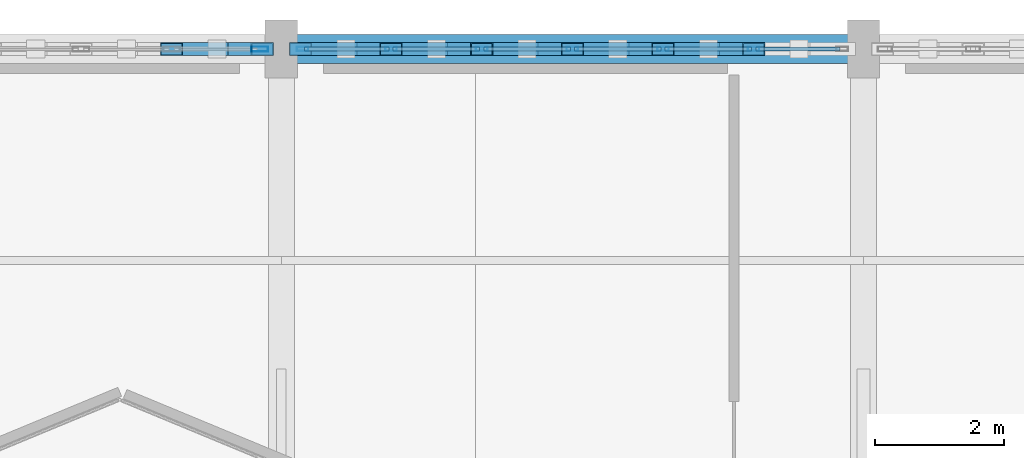
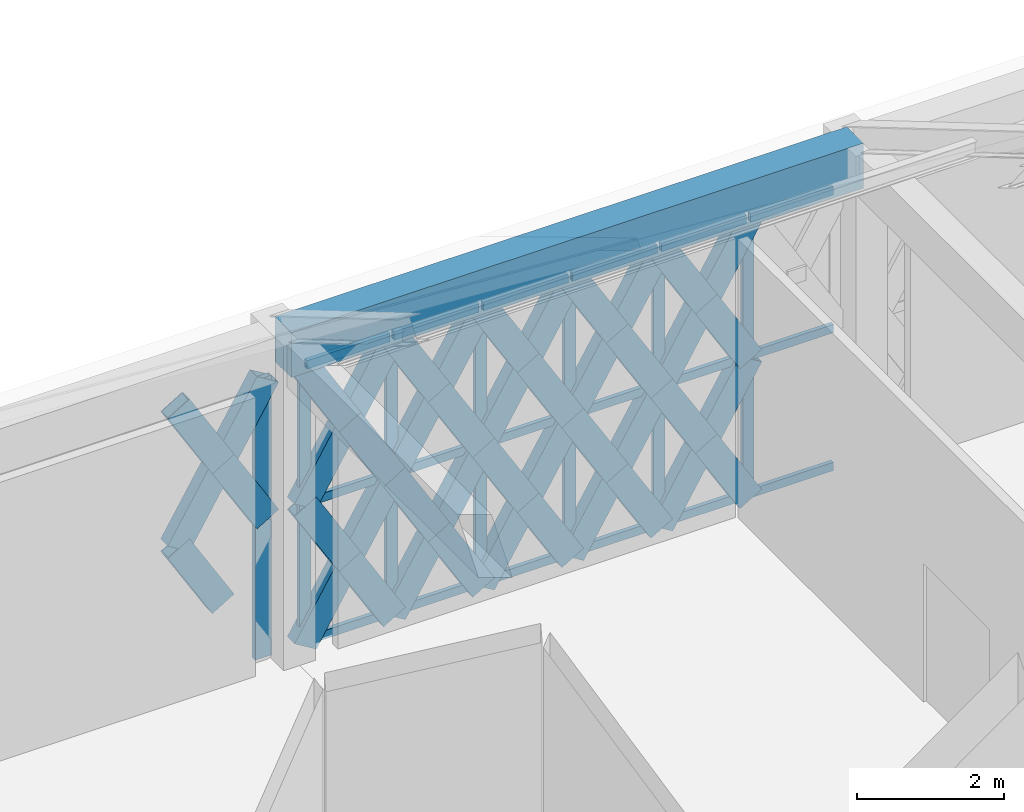
# One storey, part 51 of 72: 59 members, 1 beam, 2 elements without a shape of their own.
"""IFC4 building model written with IfcOpenShell, lengths in metres."""

from ifc_helpers import new_model, si_unit, direction, frame, origin, origin_2d, place, context, subcontext, project, spatial, rectangle, hollow_rectangle, extrude, material, material_profile, profile_set, type_object, element, aggregate, save


model = new_model("IFC4")

# Units and contexts
model_context = context("Model", 3, precision=1e-05, world=origin(), true_north=direction((0.0, 1.0)))
body_context = subcontext(model_context, "Body", "Model", "MODEL_VIEW")
ifc_project = project(units=[si_unit("LENGTHUNIT", "METRE"), si_unit("AREAUNIT", "SQUARE_METRE"), si_unit("VOLUMEUNIT", "CUBIC_METRE"), si_unit("PLANEANGLEUNIT", "RADIAN"), si_unit("MASSUNIT", "GRAM", prefix="KILO")], contexts=[model_context])

# Site, building, storey
site_placement = place(None, origin())
site = spatial("IfcSite", under=ifc_project, at=site_placement, CompositionType="ELEMENT")
building_placement = place(site_placement, origin())
building = spatial("IfcBuilding", under=site, at=building_placement, Name="Haizhuo Lancet Aquarium", CompositionType="ELEMENT")
storey_placement = place(building_placement, frame((0.0, 0.0, 21.60009765625)))
storey = spatial("IfcBuildingStorey", under=building, at=storey_placement, Name="L04", CompositionType="ELEMENT", Elevation=21.60009765625)

# Beam
ifc_material_1 = material(Name="Concrete C40/50", Category="concrete")
ifc_material_profile_1 = material_profile(ifc_material_1, rectangle(XDim=0.449951171875, YDim=0.75, at=origin_2d()), Name="RC-BM 450x750")
ifc_profile_set_1 = profile_set([ifc_material_profile_1], Name="Concrete C40/50")
beam_type = type_object("IfcBeamType", Name="BM-RC-450x750", PredefinedType="BEAM", material=ifc_profile_set_1)
beam_placement = place(storey_placement, frame((-9.0, 55.800048828125, 5.02490234375), z_axis=(1.0, 0.0, 0.0), x_axis=(0.0, 1.0, 0.0)))
element("IfcBeam", 1, at=beam_placement, inside=storey, type_object=beam_type, Name="L04 V5 primary girder BM-L04-V5-011", PredefinedType="BEAM", context=body_context, shape_type="SweptSolid", body=[
    extrude(rectangle(XDim=0.449951171875, YDim=0.75, at=origin_2d()), origin(), (0.0, 0.0, 1.0), 9.0),
])

# Curtain wall, members
ifc_material_2 = material(Name="Aluminium 6063-T6", Category="aluminium")
curtain_wall_type = type_object("IfcCurtainWallType", Name="CWD-8410x4650", PredefinedType="NOTDEFINED", material=ifc_material_2)
curtain_wall_1_placement = place(storey_placement, origin())
curtain_wall_1 = element("IfcCurtainWall", 2, at=curtain_wall_1_placement, inside=storey, type_object=curtain_wall_type, Name="L04 curtain wall CW-V5-L04-178", PredefinedType="NOTDEFINED")
ifc_material_profile_2 = material_profile(ifc_material_2, hollow_rectangle(XDim=0.06494140625, YDim=0.179931640625, WallThickness=0.00390625, at=origin_2d()), Name="ALU-M 65x180x4")
ifc_profile_set_2 = profile_set([ifc_material_profile_2], Name="Aluminium 6063-T6")
member_type_1 = type_object("IfcMemberType", Name="CW-MUL-1", PredefinedType="MULLION", material=ifc_profile_set_2)
member_1_placement = place(storey_placement, frame((-8.672119140625, 55.800048828125, 0.0), z_axis=(0.0, 0.0, 1.0), x_axis=(0.0, 1.0, 0.0)))
member_1 = element("IfcMember", 3, at=member_1_placement, type_object=member_type_1, Name="CWD-84x46 mullion 1", PredefinedType="MULLION", context=body_context, shape_type="SweptSolid", body=[
    extrude(hollow_rectangle(XDim=0.06494140625, YDim=0.179931640625, WallThickness=0.00390625, at=origin_2d()), origin(), (0.0, 0.0, 1.0), 4.64990234375),
])
member_2_placement = place(storey_placement, frame((-7.302978515625, 55.800048828125, 0.0), z_axis=(0.0, 0.0, 1.0), x_axis=(0.0, 1.0, 0.0)))
member_2 = element("IfcMember", 4, at=member_2_placement, type_object=member_type_1, Name="CWD-84x46 mullion 2", PredefinedType="MULLION", context=body_context, shape_type="SweptSolid", body=[
    extrude(hollow_rectangle(XDim=0.06494140625, YDim=0.179931640625, WallThickness=0.00390625, at=origin_2d()), origin(), (0.0, 0.0, 1.0), 4.64990234375),
])
member_3_placement = place(storey_placement, frame((-5.902099609375, 55.800048828125, 0.0), z_axis=(0.0, 0.0, 1.0), x_axis=(0.0, 1.0, 0.0)))
member_3 = element("IfcMember", 5, at=member_3_placement, type_object=member_type_1, Name="CWD-84x46 mullion 3", PredefinedType="MULLION", context=body_context, shape_type="SweptSolid", body=[
    extrude(hollow_rectangle(XDim=0.06494140625, YDim=0.179931640625, WallThickness=0.00390625, at=origin_2d()), origin(), (0.0, 0.0, 1.0), 4.64990234375),
])
member_4_placement = place(storey_placement, frame((-4.5, 55.800048828125, 0.0), z_axis=(0.0, 0.0, 1.0), x_axis=(0.0, 1.0, 0.0)))
member_4 = element("IfcMember", 6, at=member_4_placement, type_object=member_type_1, Name="CWD-84x46 mullion 4", PredefinedType="MULLION", context=body_context, shape_type="SweptSolid", body=[
    extrude(hollow_rectangle(XDim=0.06494140625, YDim=0.179931640625, WallThickness=0.00390625, at=origin_2d()), origin(), (0.0, 0.0, 1.0), 4.64990234375),
])
member_5_placement = place(storey_placement, frame((-3.097900390625, 55.800048828125, 0.0), z_axis=(0.0, 0.0, 1.0), x_axis=(0.0, 1.0, 0.0)))
member_5 = element("IfcMember", 7, at=member_5_placement, type_object=member_type_1, Name="CWD-84x46 mullion 5", PredefinedType="MULLION", context=body_context, shape_type="SweptSolid", body=[
    extrude(hollow_rectangle(XDim=0.06494140625, YDim=0.179931640625, WallThickness=0.00390625, at=origin_2d()), origin(), (0.0, 0.0, 1.0), 4.64990234375),
])
member_6_placement = place(storey_placement, frame((-1.697021484375, 55.800048828125, 0.0), z_axis=(0.0, 0.0, 1.0), x_axis=(0.0, 1.0, 0.0)))
member_6 = element("IfcMember", 8, at=member_6_placement, type_object=member_type_1, Name="CWD-84x46 mullion 6", PredefinedType="MULLION", context=body_context, shape_type="SweptSolid", body=[
    extrude(hollow_rectangle(XDim=0.06494140625, YDim=0.179931640625, WallThickness=0.00390625, at=origin_2d()), origin(), (0.0, 0.0, 1.0), 4.64990234375),
])

# Curtain wall, member
curtain_wall_2_placement = place(storey_placement, origin())
curtain_wall_2 = element("IfcCurtainWall", 9, at=curtain_wall_2_placement, inside=storey, type_object=curtain_wall_type, Name="L04 curtain wall CW-V5-L04-177", PredefinedType="NOTDEFINED")
ifc_material_profile_3 = material_profile(ifc_material_2, hollow_rectangle(XDim=0.080078125, YDim=0.260009765625, WallThickness=0.0048828125, at=origin_2d()), Name="ALU-M 80x260x5")
ifc_profile_set_3 = profile_set([ifc_material_profile_3], Name="Aluminium 6063-T6")
member_type_2 = type_object("IfcMemberType", Name="CW-MUL-3", PredefinedType="MULLION", material=ifc_profile_set_3)
member_7_placement = place(storey_placement, frame((-9.3349609375, 55.800048828125, 0.0), z_axis=(0.0, 0.0, 1.0), x_axis=(0.0, 1.0, 0.0)))
member_7 = element("IfcMember", 10, at=member_7_placement, type_object=member_type_2, Name="CWD-84x46 mullion 7", PredefinedType="MULLION", context=body_context, shape_type="SweptSolid", body=[
    extrude(hollow_rectangle(XDim=0.080078125, YDim=0.260009765625, WallThickness=0.0048828125, at=origin_2d()), origin(), (0.0, 0.0, 1.0), 4.64990234375),
])
aggregate(curtain_wall_2, [member_7])

# Member
ifc_material_profile_4 = material_profile(ifc_material_2, hollow_rectangle(XDim=0.06494140625, YDim=0.139892578125, WallThickness=0.00390625, at=origin_2d()), Name="ALU-T 65x140x4")
ifc_profile_set_4 = profile_set([ifc_material_profile_4], Name="Aluminium 6063-T6")
member_type_3 = type_object("IfcMemberType", Name="CW-TRN-1", PredefinedType="NOTDEFINED", material=ifc_profile_set_4)
member_8_placement = place(storey_placement, frame((-8.639892578125, 55.800048828125, 0.032958984375), z_axis=(1.0, 0.0, 0.0), x_axis=(0.0, 1.0, 0.0)))
member_8 = element("IfcMember", 11, at=member_8_placement, type_object=member_type_3, Name="CWD-84x46 transom 1.1", ObjectType="TRANSOM", PredefinedType="USERDEFINED", context=body_context, shape_type="SweptSolid", body=[
    extrude(hollow_rectangle(XDim=0.06494140625, YDim=0.139892578125, WallThickness=0.00390625, at=origin_2d()), origin(), (0.0, 0.0, 1.0), 1.303955078125),
])

member_9_placement = place(storey_placement, frame((-8.639892578125, 55.800048828125, 2.324951171875), z_axis=(1.0, 0.0, 0.0), x_axis=(0.0, 1.0, 0.0)))
member_9 = element("IfcMember", 12, at=member_9_placement, type_object=member_type_3, Name="CWD-84x46 transom 1.2", ObjectType="TRANSOM", PredefinedType="USERDEFINED", context=body_context, shape_type="SweptSolid", body=[
    extrude(hollow_rectangle(XDim=0.06494140625, YDim=0.139892578125, WallThickness=0.00390625, at=origin_2d()), origin(), (0.0, 0.0, 1.0), 1.303955078125),
])

member_10_placement = place(storey_placement, frame((-8.639892578125, 55.800048828125, 4.617919921875), z_axis=(1.0, 0.0, 0.0), x_axis=(0.0, 1.0, 0.0)))
member_10 = element("IfcMember", 13, at=member_10_placement, type_object=member_type_3, Name="CWD-84x46 transom 1.3", ObjectType="TRANSOM", PredefinedType="USERDEFINED", context=body_context, shape_type="SweptSolid", body=[
    extrude(hollow_rectangle(XDim=0.06494140625, YDim=0.139892578125, WallThickness=0.00390625, at=origin_2d()), origin(), (0.0, 0.0, 1.0), 1.303955078125),
])

member_11_placement = place(storey_placement, frame((-7.27099609375, 55.800048828125, 0.032958984375), z_axis=(1.0, 0.0, 0.0), x_axis=(0.0, 1.0, 0.0)))
member_11 = element("IfcMember", 14, at=member_11_placement, type_object=member_type_3, Name="CWD-84x46 transom 2.1", ObjectType="TRANSOM", PredefinedType="USERDEFINED", context=body_context, shape_type="SweptSolid", body=[
    extrude(hollow_rectangle(XDim=0.06494140625, YDim=0.139892578125, WallThickness=0.00390625, at=origin_2d()), origin(), (0.0, 0.0, 1.0), 1.3369140625),
])

member_12_placement = place(storey_placement, frame((-7.27099609375, 55.800048828125, 2.324951171875), z_axis=(1.0, 0.0, 0.0), x_axis=(0.0, 1.0, 0.0)))
member_12 = element("IfcMember", 15, at=member_12_placement, type_object=member_type_3, Name="CWD-84x46 transom 2.2", ObjectType="TRANSOM", PredefinedType="USERDEFINED", context=body_context, shape_type="SweptSolid", body=[
    extrude(hollow_rectangle(XDim=0.06494140625, YDim=0.139892578125, WallThickness=0.00390625, at=origin_2d()), origin(), (0.0, 0.0, 1.0), 1.3369140625),
])

member_13_placement = place(storey_placement, frame((-7.27099609375, 55.800048828125, 4.617919921875), z_axis=(1.0, 0.0, 0.0), x_axis=(0.0, 1.0, 0.0)))
member_13 = element("IfcMember", 16, at=member_13_placement, type_object=member_type_3, Name="CWD-84x46 transom 2.3", ObjectType="TRANSOM", PredefinedType="USERDEFINED", context=body_context, shape_type="SweptSolid", body=[
    extrude(hollow_rectangle(XDim=0.06494140625, YDim=0.139892578125, WallThickness=0.00390625, at=origin_2d()), origin(), (0.0, 0.0, 1.0), 1.3369140625),
])

member_14_placement = place(storey_placement, frame((-5.868896484375, 55.800048828125, 0.032958984375), z_axis=(1.0, 0.0, 0.0), x_axis=(0.0, 1.0, 0.0)))
member_14 = element("IfcMember", 17, at=member_14_placement, type_object=member_type_3, Name="CWD-84x46 transom 3.1", ObjectType="TRANSOM", PredefinedType="USERDEFINED", context=body_context, shape_type="SweptSolid", body=[
    extrude(hollow_rectangle(XDim=0.06494140625, YDim=0.139892578125, WallThickness=0.00390625, at=origin_2d()), origin(), (0.0, 0.0, 1.0), 1.3369140625),
])

member_15_placement = place(storey_placement, frame((-5.868896484375, 55.800048828125, 2.324951171875), z_axis=(1.0, 0.0, 0.0), x_axis=(0.0, 1.0, 0.0)))
member_15 = element("IfcMember", 18, at=member_15_placement, type_object=member_type_3, Name="CWD-84x46 transom 3.2", ObjectType="TRANSOM", PredefinedType="USERDEFINED", context=body_context, shape_type="SweptSolid", body=[
    extrude(hollow_rectangle(XDim=0.06494140625, YDim=0.139892578125, WallThickness=0.00390625, at=origin_2d()), origin(), (0.0, 0.0, 1.0), 1.3369140625),
])

member_16_placement = place(storey_placement, frame((-5.868896484375, 55.800048828125, 4.617919921875), z_axis=(1.0, 0.0, 0.0), x_axis=(0.0, 1.0, 0.0)))
member_16 = element("IfcMember", 19, at=member_16_placement, type_object=member_type_3, Name="CWD-84x46 transom 3.3", ObjectType="TRANSOM", PredefinedType="USERDEFINED", context=body_context, shape_type="SweptSolid", body=[
    extrude(hollow_rectangle(XDim=0.06494140625, YDim=0.139892578125, WallThickness=0.00390625, at=origin_2d()), origin(), (0.0, 0.0, 1.0), 1.3369140625),
])

member_17_placement = place(storey_placement, frame((-4.468017578125, 55.800048828125, 0.032958984375), z_axis=(1.0, 0.0, 0.0), x_axis=(0.0, 1.0, 0.0)))
member_17 = element("IfcMember", 20, at=member_17_placement, type_object=member_type_3, Name="CWD-84x46 transom 4.1", ObjectType="TRANSOM", PredefinedType="USERDEFINED", context=body_context, shape_type="SweptSolid", body=[
    extrude(hollow_rectangle(XDim=0.06494140625, YDim=0.139892578125, WallThickness=0.00390625, at=origin_2d()), origin(), (0.0, 0.0, 1.0), 1.3369140625),
])

member_18_placement = place(storey_placement, frame((-4.468017578125, 55.800048828125, 2.324951171875), z_axis=(1.0, 0.0, 0.0), x_axis=(0.0, 1.0, 0.0)))
member_18 = element("IfcMember", 21, at=member_18_placement, type_object=member_type_3, Name="CWD-84x46 transom 4.2", ObjectType="TRANSOM", PredefinedType="USERDEFINED", context=body_context, shape_type="SweptSolid", body=[
    extrude(hollow_rectangle(XDim=0.06494140625, YDim=0.139892578125, WallThickness=0.00390625, at=origin_2d()), origin(), (0.0, 0.0, 1.0), 1.3369140625),
])

member_19_placement = place(storey_placement, frame((-4.468017578125, 55.800048828125, 4.617919921875), z_axis=(1.0, 0.0, 0.0), x_axis=(0.0, 1.0, 0.0)))
member_19 = element("IfcMember", 22, at=member_19_placement, type_object=member_type_3, Name="CWD-84x46 transom 4.3", ObjectType="TRANSOM", PredefinedType="USERDEFINED", context=body_context, shape_type="SweptSolid", body=[
    extrude(hollow_rectangle(XDim=0.06494140625, YDim=0.139892578125, WallThickness=0.00390625, at=origin_2d()), origin(), (0.0, 0.0, 1.0), 1.3369140625),
])

member_20_placement = place(storey_placement, frame((-3.06591796875, 55.800048828125, 0.032958984375), z_axis=(1.0, 0.0, 0.0), x_axis=(0.0, 1.0, 0.0)))
member_20 = element("IfcMember", 23, at=member_20_placement, type_object=member_type_3, Name="CWD-84x46 transom 5.1", ObjectType="TRANSOM", PredefinedType="USERDEFINED", context=body_context, shape_type="SweptSolid", body=[
    extrude(hollow_rectangle(XDim=0.06494140625, YDim=0.139892578125, WallThickness=0.00390625, at=origin_2d()), origin(), (0.0, 0.0, 1.0), 1.3369140625),
])

member_21_placement = place(storey_placement, frame((-3.06591796875, 55.800048828125, 2.324951171875), z_axis=(1.0, 0.0, 0.0), x_axis=(0.0, 1.0, 0.0)))
member_21 = element("IfcMember", 24, at=member_21_placement, type_object=member_type_3, Name="CWD-84x46 transom 5.2", ObjectType="TRANSOM", PredefinedType="USERDEFINED", context=body_context, shape_type="SweptSolid", body=[
    extrude(hollow_rectangle(XDim=0.06494140625, YDim=0.139892578125, WallThickness=0.00390625, at=origin_2d()), origin(), (0.0, 0.0, 1.0), 1.3369140625),
])

member_22_placement = place(storey_placement, frame((-3.06591796875, 55.800048828125, 4.617919921875), z_axis=(1.0, 0.0, 0.0), x_axis=(0.0, 1.0, 0.0)))
member_22 = element("IfcMember", 25, at=member_22_placement, type_object=member_type_3, Name="CWD-84x46 transom 5.3", ObjectType="TRANSOM", PredefinedType="USERDEFINED", context=body_context, shape_type="SweptSolid", body=[
    extrude(hollow_rectangle(XDim=0.06494140625, YDim=0.139892578125, WallThickness=0.00390625, at=origin_2d()), origin(), (0.0, 0.0, 1.0), 1.3369140625),
])

member_23_placement = place(storey_placement, frame((-1.6640625, 55.800048828125, 0.032958984375), z_axis=(1.0, 0.0, 0.0), x_axis=(0.0, 1.0, 0.0)))
member_23 = element("IfcMember", 26, at=member_23_placement, type_object=member_type_3, Name="CWD-84x46 transom 6.1", ObjectType="TRANSOM", PredefinedType="USERDEFINED", context=body_context, shape_type="SweptSolid", body=[
    extrude(hollow_rectangle(XDim=0.06494140625, YDim=0.139892578125, WallThickness=0.00390625, at=origin_2d()), origin(), (0.0, 0.0, 1.0), 1.303955078125),
])

member_24_placement = place(storey_placement, frame((-1.6640625, 55.800048828125, 2.324951171875), z_axis=(1.0, 0.0, 0.0), x_axis=(0.0, 1.0, 0.0)))
member_24 = element("IfcMember", 27, at=member_24_placement, type_object=member_type_3, Name="CWD-84x46 transom 6.2", ObjectType="TRANSOM", PredefinedType="USERDEFINED", context=body_context, shape_type="SweptSolid", body=[
    extrude(hollow_rectangle(XDim=0.06494140625, YDim=0.139892578125, WallThickness=0.00390625, at=origin_2d()), origin(), (0.0, 0.0, 1.0), 1.303955078125),
])

member_25_placement = place(storey_placement, frame((-1.6640625, 55.800048828125, 4.617919921875), z_axis=(1.0, 0.0, 0.0), x_axis=(0.0, 1.0, 0.0)))
member_25 = element("IfcMember", 28, at=member_25_placement, type_object=member_type_3, Name="CWD-84x46 transom 6.3", ObjectType="TRANSOM", PredefinedType="USERDEFINED", context=body_context, shape_type="SweptSolid", body=[
    extrude(hollow_rectangle(XDim=0.06494140625, YDim=0.139892578125, WallThickness=0.00390625, at=origin_2d()), origin(), (0.0, 0.0, 1.0), 1.303955078125),
])

aggregate(curtain_wall_1, [member_1, member_2, member_3, member_4, member_5, member_6, member_8, member_9, member_10, member_11, member_12, member_13, member_14, member_15, member_16, member_17, member_18, member_19, member_20, member_21, member_22, member_23, member_24, member_25])

# Members
ifc_material_3 = material(Name="Steel S355", Category="steel")
ifc_material_profile_5 = material_profile(ifc_material_3, hollow_rectangle(XDim=0.199951171875, YDim=0.39990234375, WallThickness=0.011962890625, at=origin_2d()), Name="RHS 200x400x12")
ifc_profile_set_5 = profile_set([ifc_material_profile_5], Name="Steel S355")
member_type_4 = type_object("IfcMemberType", Name="MEM-LB-RHS200x400", PredefinedType="BRACE", material=ifc_profile_set_5)
member_26_placement = place(storey_placement, frame((-9.99609375, 55.800048828125, 1.162841796875), z_axis=(-0.51647851402, 0.0, 0.856300148637), x_axis=(0.0, -1.0, 0.0)))
element("IfcMember", 29, at=member_26_placement, inside=storey, type_object=member_type_4, Name="Gothic lancet split diagonal brace CW-V5-L04-177 11B2", PredefinedType="BRACE", context=body_context, shape_type="SweptSolid", body=[
    extrude(hollow_rectangle(XDim=0.199951171875, YDim=0.39990234375, WallThickness=0.011962890625, at=origin_2d()), origin(), (0.0, 0.0, 1.0), 1.357177734375),
])
member_27_placement = place(storey_placement, frame((-10.697021484375, 55.800048828125, 2.324951171875), z_axis=(0.516425141118, 0.0, 0.856332338302), x_axis=(0.0, 1.0, 0.0)))
element("IfcMember", 30, at=member_27_placement, inside=storey, type_object=member_type_4, Name="Gothic lancet continuous diagonal brace CW-V5-L04-177 12A", PredefinedType="BRACE", context=body_context, shape_type="SweptSolid", body=[
    extrude(hollow_rectangle(XDim=0.199951171875, YDim=0.39990234375, WallThickness=0.011962890625, at=origin_2d()), origin(), (0.0, 0.0, 1.0), 2.715087890625),
])
member_28_placement = place(storey_placement, frame((-9.294921875, 55.800048828125, 2.324951171875), z_axis=(-0.516689979653, 0.0, 0.856172567259), x_axis=(0.0, -1.0, 0.0)))
element("IfcMember", 31, at=member_28_placement, inside=storey, type_object=member_type_4, Name="Gothic lancet split diagonal brace CW-V5-L04-177 12B1", PredefinedType="BRACE", context=body_context, shape_type="SweptSolid", body=[
    extrude(hollow_rectangle(XDim=0.199951171875, YDim=0.39990234375, WallThickness=0.011962890625, at=origin_2d()), origin(), (0.0, 0.0, 1.0), 1.35693359375),
])
member_29_placement = place(storey_placement, frame((-9.99609375, 55.800048828125, 3.48681640625), z_axis=(-0.516160432506, 0.0, 0.856491919352), x_axis=(0.0, -1.0, 0.0)))
element("IfcMember", 32, at=member_29_placement, inside=storey, type_object=member_type_4, Name="Gothic lancet split diagonal brace CW-V5-L04-177 12B2", PredefinedType="BRACE", context=body_context, shape_type="SweptSolid", body=[
    extrude(hollow_rectangle(XDim=0.199951171875, YDim=0.39990234375, WallThickness=0.011962890625, at=origin_2d()), origin(), (0.0, 0.0, 1.0), 1.35791015625),
])
member_30_placement = place(storey_placement, frame((-8.705078125, 55.800048828125, 0.0), z_axis=(0.516425141118, 0.0, 0.856332338302), x_axis=(0.0, 1.0, 0.0)))
element("IfcMember", 33, at=member_30_placement, inside=storey, type_object=member_type_4, Name="Gothic lancet continuous diagonal brace CW-V5-L04-178 1A", PredefinedType="BRACE", context=body_context, shape_type="SweptSolid", body=[
    extrude(hollow_rectangle(XDim=0.199951171875, YDim=0.39990234375, WallThickness=0.011962890625, at=origin_2d()), origin(), (0.0, 0.0, 1.0), 2.715087890625),
])
member_31_placement = place(storey_placement, frame((-7.302978515625, 55.800048828125, 0.0), z_axis=(-0.516239922823, 0.0, 0.856444009894), x_axis=(0.0, -1.0, 0.0)))
element("IfcMember", 34, at=member_31_placement, inside=storey, type_object=member_type_4, Name="Gothic lancet split diagonal brace CW-V5-L04-178 1B1", PredefinedType="BRACE", context=body_context, shape_type="SweptSolid", body=[
    extrude(hollow_rectangle(XDim=0.199951171875, YDim=0.39990234375, WallThickness=0.011962890625, at=origin_2d()), origin(), (0.0, 0.0, 1.0), 1.357666015625),
])
member_32_placement = place(storey_placement, frame((-8.00390625, 55.800048828125, 1.162841796875), z_axis=(-0.516610403628, 0.0, 0.8562205854), x_axis=(0.0, -1.0, 0.0)))
element("IfcMember", 35, at=member_32_placement, inside=storey, type_object=member_type_4, Name="Gothic lancet split diagonal brace CW-V5-L04-178 1B2", PredefinedType="BRACE", context=body_context, shape_type="SweptSolid", body=[
    extrude(hollow_rectangle(XDim=0.199951171875, YDim=0.39990234375, WallThickness=0.011962890625, at=origin_2d()), origin(), (0.0, 0.0, 1.0), 1.357177734375),
])
member_33_placement = place(storey_placement, frame((-8.705078125, 55.800048828125, 2.324951171875), z_axis=(0.516425141118, 0.0, 0.856332338302), x_axis=(0.0, 1.0, 0.0)))
element("IfcMember", 36, at=member_33_placement, inside=storey, type_object=member_type_4, Name="Gothic lancet continuous diagonal brace CW-V5-L04-178 2A", PredefinedType="BRACE", context=body_context, shape_type="SweptSolid", body=[
    extrude(hollow_rectangle(XDim=0.199951171875, YDim=0.39990234375, WallThickness=0.011962890625, at=origin_2d()), origin(), (0.0, 0.0, 1.0), 2.715087890625),
])
member_34_placement = place(storey_placement, frame((-7.302978515625, 55.800048828125, 2.324951171875), z_axis=(-0.516558084519, 0.0, 0.856252150548), x_axis=(0.0, -1.0, 0.0)))
element("IfcMember", 37, at=member_34_placement, inside=storey, type_object=member_type_4, Name="Gothic lancet split diagonal brace CW-V5-L04-178 2B1", PredefinedType="BRACE", context=body_context, shape_type="SweptSolid", body=[
    extrude(hollow_rectangle(XDim=0.199951171875, YDim=0.39990234375, WallThickness=0.011962890625, at=origin_2d()), origin(), (0.0, 0.0, 1.0), 1.35693359375),
])
member_35_placement = place(storey_placement, frame((-8.00390625, 55.800048828125, 3.48681640625), z_axis=(-0.516292299955, 0.0, 0.856412436276), x_axis=(0.0, -1.0, 0.0)))
element("IfcMember", 38, at=member_35_placement, inside=storey, type_object=member_type_4, Name="Gothic lancet split diagonal brace CW-V5-L04-178 2B2", PredefinedType="BRACE", context=body_context, shape_type="SweptSolid", body=[
    extrude(hollow_rectangle(XDim=0.199951171875, YDim=0.39990234375, WallThickness=0.011962890625, at=origin_2d()), origin(), (0.0, 0.0, 1.0), 1.358154296875),
])
member_36_placement = place(storey_placement, frame((-7.302978515625, 55.800048828125, 0.0), z_axis=(0.516095323005, 0.0, 0.856531153883), x_axis=(0.0, 1.0, 0.0)))
element("IfcMember", 39, at=member_36_placement, inside=storey, type_object=member_type_4, Name="Gothic lancet continuous diagonal brace CW-V5-L04-178 3A", PredefinedType="BRACE", context=body_context, shape_type="SweptSolid", body=[
    extrude(hollow_rectangle(XDim=0.199951171875, YDim=0.39990234375, WallThickness=0.011962890625, at=origin_2d()), origin(), (0.0, 0.0, 1.0), 2.71435546875),
])
member_37_placement = place(storey_placement, frame((-5.902099609375, 55.800048828125, 0.0), z_axis=(-0.516239922823, 0.0, 0.856444009894), x_axis=(0.0, -1.0, 0.0)))
element("IfcMember", 40, at=member_37_placement, inside=storey, type_object=member_type_4, Name="Gothic lancet split diagonal brace CW-V5-L04-178 3B1", PredefinedType="BRACE", context=body_context, shape_type="SweptSolid", body=[
    extrude(hollow_rectangle(XDim=0.199951171875, YDim=0.39990234375, WallThickness=0.011962890625, at=origin_2d()), origin(), (0.0, 0.0, 1.0), 1.357666015625),
])
member_38_placement = place(storey_placement, frame((-6.60302734375, 55.800048828125, 1.162841796875), z_axis=(-0.515950587872, 0.0, 0.8566183461), x_axis=(0.0, -1.0, 0.0)))
element("IfcMember", 41, at=member_38_placement, inside=storey, type_object=member_type_4, Name="Gothic lancet split diagonal brace CW-V5-L04-178 3B2", PredefinedType="BRACE", context=body_context, shape_type="SweptSolid", body=[
    extrude(hollow_rectangle(XDim=0.199951171875, YDim=0.39990234375, WallThickness=0.011962890625, at=origin_2d()), origin(), (0.0, 0.0, 1.0), 1.356689453125),
])
member_39_placement = place(storey_placement, frame((-7.302978515625, 55.800048828125, 2.324951171875), z_axis=(0.516095323005, 0.0, 0.856531153883), x_axis=(0.0, 1.0, 0.0)))
element("IfcMember", 42, at=member_39_placement, inside=storey, type_object=member_type_4, Name="Gothic lancet continuous diagonal brace CW-V5-L04-178 4A", PredefinedType="BRACE", context=body_context, shape_type="SweptSolid", body=[
    extrude(hollow_rectangle(XDim=0.199951171875, YDim=0.39990234375, WallThickness=0.011962890625, at=origin_2d()), origin(), (0.0, 0.0, 1.0), 2.71435546875),
])
member_40_placement = place(storey_placement, frame((-5.902099609375, 55.800048828125, 2.324951171875), z_axis=(-0.516558084519, 0.0, 0.856252150548), x_axis=(0.0, -1.0, 0.0)))
element("IfcMember", 43, at=member_40_placement, inside=storey, type_object=member_type_4, Name="Gothic lancet split diagonal brace CW-V5-L04-178 4B1", PredefinedType="BRACE", context=body_context, shape_type="SweptSolid", body=[
    extrude(hollow_rectangle(XDim=0.199951171875, YDim=0.39990234375, WallThickness=0.011962890625, at=origin_2d()), origin(), (0.0, 0.0, 1.0), 1.35693359375),
])
member_41_placement = place(storey_placement, frame((-6.60302734375, 55.800048828125, 3.48681640625), z_axis=(-0.51563259551, 0.0, 0.856809795957), x_axis=(0.0, -1.0, 0.0)))
element("IfcMember", 44, at=member_41_placement, inside=storey, type_object=member_type_4, Name="Gothic lancet split diagonal brace CW-V5-L04-178 4B2", PredefinedType="BRACE", context=body_context, shape_type="SweptSolid", body=[
    extrude(hollow_rectangle(XDim=0.199951171875, YDim=0.39990234375, WallThickness=0.011962890625, at=origin_2d()), origin(), (0.0, 0.0, 1.0), 1.357421875),
])
member_42_placement = place(storey_placement, frame((-5.902099609375, 55.800048828125, 0.0), z_axis=(0.516425141118, 0.0, 0.856332338302), x_axis=(0.0, 1.0, 0.0)))
element("IfcMember", 45, at=member_42_placement, inside=storey, type_object=member_type_4, Name="Gothic lancet continuous diagonal brace CW-V5-L04-178 5A", PredefinedType="BRACE", context=body_context, shape_type="SweptSolid", body=[
    extrude(hollow_rectangle(XDim=0.199951171875, YDim=0.39990234375, WallThickness=0.011962890625, at=origin_2d()), origin(), (0.0, 0.0, 1.0), 2.715087890625),
])
member_43_placement = place(storey_placement, frame((-4.5, 55.800048828125, 0.0), z_axis=(-0.516239922823, 0.0, 0.856444009894), x_axis=(0.0, -1.0, 0.0)))
element("IfcMember", 46, at=member_43_placement, inside=storey, type_object=member_type_4, Name="Gothic lancet split diagonal brace CW-V5-L04-178 5B1", PredefinedType="BRACE", context=body_context, shape_type="SweptSolid", body=[
    extrude(hollow_rectangle(XDim=0.199951171875, YDim=0.39990234375, WallThickness=0.011962890625, at=origin_2d()), origin(), (0.0, 0.0, 1.0), 1.357666015625),
])
member_44_placement = place(storey_placement, frame((-5.200927734375, 55.800048828125, 1.162841796875), z_axis=(-0.516610403628, 0.0, 0.8562205854), x_axis=(0.0, -1.0, 0.0)))
element("IfcMember", 47, at=member_44_placement, inside=storey, type_object=member_type_4, Name="Gothic lancet split diagonal brace CW-V5-L04-178 5B2", PredefinedType="BRACE", context=body_context, shape_type="SweptSolid", body=[
    extrude(hollow_rectangle(XDim=0.199951171875, YDim=0.39990234375, WallThickness=0.011962890625, at=origin_2d()), origin(), (0.0, 0.0, 1.0), 1.357177734375),
])
member_45_placement = place(storey_placement, frame((-5.902099609375, 55.800048828125, 2.324951171875), z_axis=(0.516425141118, 0.0, 0.856332338302), x_axis=(0.0, 1.0, 0.0)))
element("IfcMember", 48, at=member_45_placement, inside=storey, type_object=member_type_4, Name="Gothic lancet continuous diagonal brace CW-V5-L04-178 6A", PredefinedType="BRACE", context=body_context, shape_type="SweptSolid", body=[
    extrude(hollow_rectangle(XDim=0.199951171875, YDim=0.39990234375, WallThickness=0.011962890625, at=origin_2d()), origin(), (0.0, 0.0, 1.0), 2.715087890625),
])
member_46_placement = place(storey_placement, frame((-4.5, 55.800048828125, 2.324951171875), z_axis=(-0.516558084519, 0.0, 0.856252150548), x_axis=(0.0, -1.0, 0.0)))
element("IfcMember", 49, at=member_46_placement, inside=storey, type_object=member_type_4, Name="Gothic lancet split diagonal brace CW-V5-L04-178 6B1", PredefinedType="BRACE", context=body_context, shape_type="SweptSolid", body=[
    extrude(hollow_rectangle(XDim=0.199951171875, YDim=0.39990234375, WallThickness=0.011962890625, at=origin_2d()), origin(), (0.0, 0.0, 1.0), 1.35693359375),
])
member_47_placement = place(storey_placement, frame((-5.200927734375, 55.800048828125, 3.48681640625), z_axis=(-0.516292299955, 0.0, 0.856412436276), x_axis=(0.0, -1.0, 0.0)))
element("IfcMember", 50, at=member_47_placement, inside=storey, type_object=member_type_4, Name="Gothic lancet split diagonal brace CW-V5-L04-178 6B2", PredefinedType="BRACE", context=body_context, shape_type="SweptSolid", body=[
    extrude(hollow_rectangle(XDim=0.199951171875, YDim=0.39990234375, WallThickness=0.011962890625, at=origin_2d()), origin(), (0.0, 0.0, 1.0), 1.358154296875),
])
member_48_placement = place(storey_placement, frame((-4.5, 55.800048828125, 0.0), z_axis=(0.516425141118, 0.0, 0.856332338302), x_axis=(0.0, 1.0, 0.0)))
element("IfcMember", 51, at=member_48_placement, inside=storey, type_object=member_type_4, Name="Gothic lancet continuous diagonal brace CW-V5-L04-178 7A", PredefinedType="BRACE", context=body_context, shape_type="SweptSolid", body=[
    extrude(hollow_rectangle(XDim=0.199951171875, YDim=0.39990234375, WallThickness=0.011962890625, at=origin_2d()), origin(), (0.0, 0.0, 1.0), 2.715087890625),
])
member_49_placement = place(storey_placement, frame((-3.097900390625, 55.800048828125, 0.0), z_axis=(-0.516371795819, 0.0, 0.856364506786), x_axis=(0.0, -1.0, 0.0)))
element("IfcMember", 52, at=member_49_placement, inside=storey, type_object=member_type_4, Name="Gothic lancet split diagonal brace CW-V5-L04-178 7B1", PredefinedType="BRACE", context=body_context, shape_type="SweptSolid", body=[
    extrude(hollow_rectangle(XDim=0.199951171875, YDim=0.39990234375, WallThickness=0.011962890625, at=origin_2d()), origin(), (0.0, 0.0, 1.0), 1.35791015625),
])
member_50_placement = place(storey_placement, frame((-3.799072265625, 55.800048828125, 1.162841796875), z_axis=(-0.51647851402, 0.0, 0.856300148637), x_axis=(0.0, -1.0, 0.0)))
element("IfcMember", 53, at=member_50_placement, inside=storey, type_object=member_type_4, Name="Gothic lancet split diagonal brace CW-V5-L04-178 7B2", PredefinedType="BRACE", context=body_context, shape_type="SweptSolid", body=[
    extrude(hollow_rectangle(XDim=0.199951171875, YDim=0.39990234375, WallThickness=0.011962890625, at=origin_2d()), origin(), (0.0, 0.0, 1.0), 1.357177734375),
])
member_51_placement = place(storey_placement, frame((-4.5, 55.800048828125, 2.324951171875), z_axis=(0.516425141118, 0.0, 0.856332338302), x_axis=(0.0, 1.0, 0.0)))
element("IfcMember", 54, at=member_51_placement, inside=storey, type_object=member_type_4, Name="Gothic lancet continuous diagonal brace CW-V5-L04-178 8A", PredefinedType="BRACE", context=body_context, shape_type="SweptSolid", body=[
    extrude(hollow_rectangle(XDim=0.199951171875, YDim=0.39990234375, WallThickness=0.011962890625, at=origin_2d()), origin(), (0.0, 0.0, 1.0), 2.715087890625),
])
member_52_placement = place(storey_placement, frame((-3.097900390625, 55.800048828125, 2.324951171875), z_axis=(-0.516689979653, 0.0, 0.856172567259), x_axis=(0.0, -1.0, 0.0)))
element("IfcMember", 55, at=member_52_placement, inside=storey, type_object=member_type_4, Name="Gothic lancet split diagonal brace CW-V5-L04-178 8B1", PredefinedType="BRACE", context=body_context, shape_type="SweptSolid", body=[
    extrude(hollow_rectangle(XDim=0.199951171875, YDim=0.39990234375, WallThickness=0.011962890625, at=origin_2d()), origin(), (0.0, 0.0, 1.0), 1.35693359375),
])
member_53_placement = place(storey_placement, frame((-3.799072265625, 55.800048828125, 3.48681640625), z_axis=(-0.516160432506, 0.0, 0.856491919352), x_axis=(0.0, -1.0, 0.0)))
element("IfcMember", 56, at=member_53_placement, inside=storey, type_object=member_type_4, Name="Gothic lancet split diagonal brace CW-V5-L04-178 8B2", PredefinedType="BRACE", context=body_context, shape_type="SweptSolid", body=[
    extrude(hollow_rectangle(XDim=0.199951171875, YDim=0.39990234375, WallThickness=0.011962890625, at=origin_2d()), origin(), (0.0, 0.0, 1.0), 1.35791015625),
])
member_54_placement = place(storey_placement, frame((-3.097900390625, 55.800048828125, 0.0), z_axis=(0.516095323005, 0.0, 0.856531153883), x_axis=(0.0, 1.0, 0.0)))
element("IfcMember", 57, at=member_54_placement, inside=storey, type_object=member_type_4, Name="Gothic lancet continuous diagonal brace CW-V5-L04-178 9A", PredefinedType="BRACE", context=body_context, shape_type="SweptSolid", body=[
    extrude(hollow_rectangle(XDim=0.199951171875, YDim=0.39990234375, WallThickness=0.011962890625, at=origin_2d()), origin(), (0.0, 0.0, 1.0), 2.71435546875),
])
for number, where, z_axis, x_axis, name in (
    (58, (-1.697021484375, 55.800048828125, 0.0), (-0.515712063506, 0.0, 0.856761966683), (0.0, -1.0, 0.0), "Gothic lancet split diagonal brace CW-V5-L04-178 9B1"),
    (59, (-2.39697265625, 55.800048828125, 1.162841796875), (-0.51647851402, 0.0, 0.856300148637), (0.0, -1.0, 0.0), "Gothic lancet split diagonal brace CW-V5-L04-178 9B2"),
):
    element("IfcMember", number, at=place(storey_placement, frame(where, z_axis=z_axis, x_axis=x_axis)), inside=storey, type_object=member_type_4, Name=name, PredefinedType="BRACE", context=body_context, shape_type="SweptSolid", body=[
        extrude(hollow_rectangle(XDim=0.199951171875, YDim=0.39990234375, WallThickness=0.011962890625, at=origin_2d()), origin(), (0.0, 0.0, 1.0), 1.357177734375),
    ])
member_55_placement = place(storey_placement, frame((-3.097900390625, 55.800048828125, 2.324951171875), z_axis=(0.516095323005, 0.0, 0.856531153883), x_axis=(0.0, 1.0, 0.0)))
element("IfcMember", 60, at=member_55_placement, inside=storey, type_object=member_type_4, Name="Gothic lancet continuous diagonal brace CW-V5-L04-178 10A", PredefinedType="BRACE", context=body_context, shape_type="SweptSolid", body=[
    extrude(hollow_rectangle(XDim=0.199951171875, YDim=0.39990234375, WallThickness=0.011962890625, at=origin_2d()), origin(), (0.0, 0.0, 1.0), 2.71435546875),
])
member_56_placement = place(storey_placement, frame((-1.697021484375, 55.800048828125, 2.324951171875), z_axis=(-0.516030136136, 0.0, 0.856570428277), x_axis=(0.0, -1.0, 0.0)))
element("IfcMember", 61, at=member_56_placement, inside=storey, type_object=member_type_4, Name="Gothic lancet split diagonal brace CW-V5-L04-178 10B1", PredefinedType="BRACE", context=body_context, shape_type="SweptSolid", body=[
    extrude(hollow_rectangle(XDim=0.199951171875, YDim=0.39990234375, WallThickness=0.011962890625, at=origin_2d()), origin(), (0.0, 0.0, 1.0), 1.3564453125),
])
member_57_placement = place(storey_placement, frame((-2.39697265625, 55.800048828125, 3.48681640625), z_axis=(-0.516160432506, 0.0, 0.856491919352), x_axis=(0.0, -1.0, 0.0)))
element("IfcMember", 62, at=member_57_placement, inside=storey, type_object=member_type_4, Name="Gothic lancet split diagonal brace CW-V5-L04-178 10B2", PredefinedType="BRACE", context=body_context, shape_type="SweptSolid", body=[
    extrude(hollow_rectangle(XDim=0.199951171875, YDim=0.39990234375, WallThickness=0.011962890625, at=origin_2d()), origin(), (0.0, 0.0, 1.0), 1.35791015625),
])

save(model, "model.ifc")
